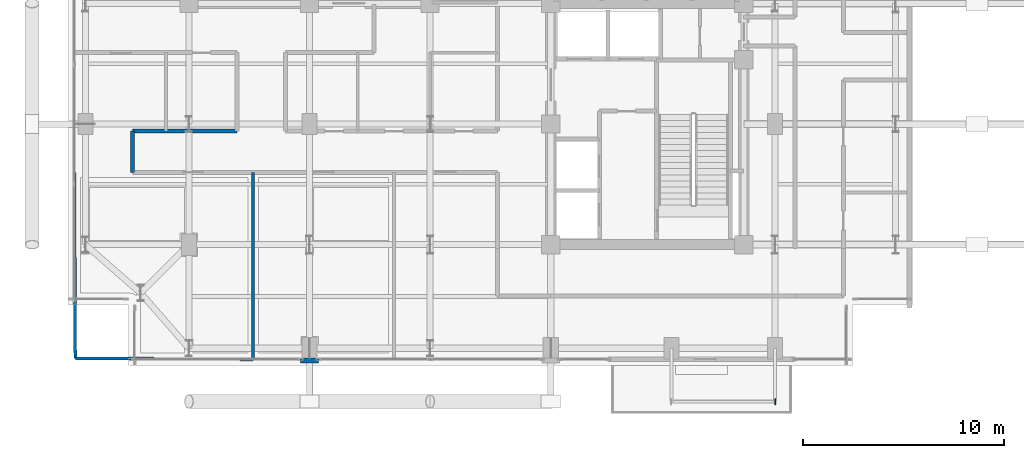
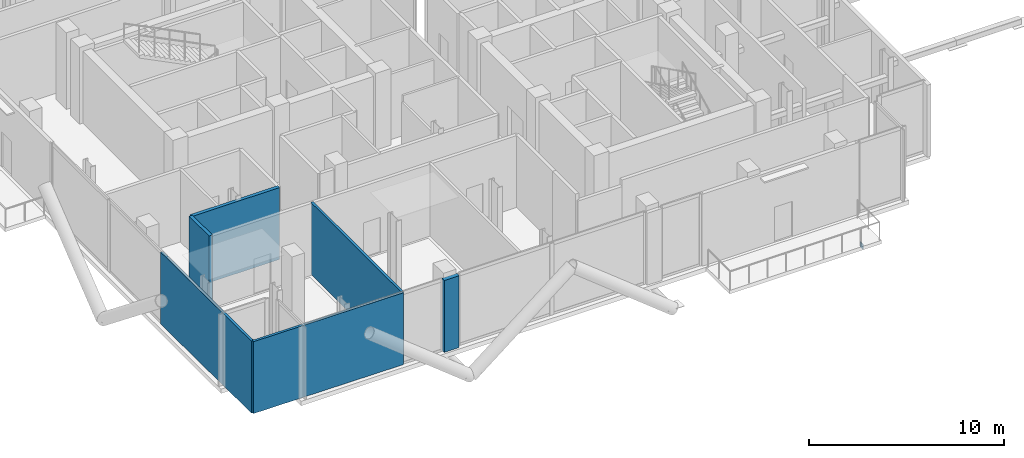
# One storey, part 16 of 22: 6 walls, 1 plate.
"""IFC4 building model written with IfcOpenShell, lengths in metres."""

from ifc_helpers import new_model, si_unit, direction, frame, frame_2d, origin, origin_2d, place, context, subcontext, project, spatial, rectangle, extrude, material, layer, layer_set, type_object, element, save


model = new_model("IFC4")

# Units and contexts
model_context = context("Model", 3, precision=1e-05, world=origin(), true_north=direction((0.0, 1.0)))
body_context = subcontext(model_context, "Body", "Model", "MODEL_VIEW")
ifc_project = project(units=[si_unit("LENGTHUNIT", "METRE"), si_unit("AREAUNIT", "SQUARE_METRE"), si_unit("VOLUMEUNIT", "CUBIC_METRE"), si_unit("PLANEANGLEUNIT", "RADIAN"), si_unit("MASSUNIT", "GRAM", prefix="KILO"), si_unit("THERMODYNAMICTEMPERATUREUNIT", "KELVIN"), si_unit("POWERUNIT", "WATT")], contexts=[model_context])

# Site, building, storey
site_placement = place(None, origin())
site = spatial("IfcSite", under=ifc_project, at=site_placement, CompositionType="ELEMENT")
building_placement = place(site_placement, origin())
building = spatial("IfcBuilding", under=site, at=building_placement, Name="Svarakhadi Broadcast Tower", CompositionType="ELEMENT")
storey_placement = place(building_placement, frame((0.0, 0.0, 199.199951171875)))
storey = spatial("IfcBuildingStorey", under=building, at=storey_placement, Name="L49", CompositionType="ELEMENT", Elevation=199.199951171875)

# Plate
ifc_material_1 = material(Name="Steel S460ML (IS 2062 E450BR)", Category="steel")
ifc_layer_1 = layer(ifc_material_1, 0.028076171875)
ifc_layer_set_1 = layer_set([ifc_layer_1], Name="Steel S460ML (IS 2062 E450BR)")
plate_type = type_object("IfcPlateType", Name="Cap_Plate_CP02", PredefinedType="USERDEFINED", material=ifc_layer_set_1)
plate_placement = place(storey_placement, frame((35.1650390625, -1.800048828125, -0.554931640625), z_axis=(0.0, 0.0, 1.0), x_axis=(1.0, 0.0, 0.0)))
element("IfcPlate", 1, at=plate_placement, inside=storey, type_object=plate_type, Name="L49 Balcony Spandrel End Cap Plate 1F-B", ObjectType="FLANGE_PLATE", PredefinedType="USERDEFINED", context=body_context, shape_type="SweptSolid", body=[
    extrude(rectangle(XDim=0.0400390625, YDim=0.300048828125, at=origin_2d()), origin(), (0.0, 0.0, 1.0), 0.31005859375),
])

# Walls
ifc_material_2 = material(Name="Concrete C40/50 (IS 456 M50)", Category="concrete")
ifc_layer_2 = layer(ifc_material_2, 0.239990234375)
ifc_layer_set_2 = layer_set([ifc_layer_2], Name="Concrete C40/50 (IS 456 M50)")
wall_type_1 = type_object("IfcWallType", Name="Wall_Ext_240", PredefinedType="SOLIDWALL", material=ifc_layer_set_2)
wall_1_placement = place(storey_placement, frame((12.43994140625, 0.239990234375, 0.0), z_axis=(0.0, 0.0, 1.0), x_axis=(-1.0, 0.0, 0.0)))
element("IfcWall", 2, at=wall_1_placement, inside=storey, type_object=wall_type_1, Name="L49 Perimeter Bronze Spandrel Closure Wall 04", PredefinedType="SOLIDWALL", context=body_context, shape_type="SweptSolid", body=[
    extrude(rectangle(XDim=0.8798828125, YDim=0.239990234375, at=frame_2d((0.43994140625, 0.0))), origin(), (0.0, 0.0, 1.0), 4.5),
])
ifc_layer_3 = layer(ifc_material_2, 0.199951171875)
ifc_layer_set_3 = layer_set([ifc_layer_3], Name="Concrete C40/50 (IS 456 M50)")
wall_type_2 = type_object("IfcWallType", Name="Wall_Fire_200", PredefinedType="SOLIDWALL", material=ifc_layer_set_3)
wall_2_placement = place(storey_placement, frame((3.199951171875, 9.60009765625, 0.0), z_axis=(0.0, 0.0, 1.0), x_axis=(0.0, 1.0, 0.0)))
element("IfcWall", 3, at=wall_2_placement, inside=storey, type_object=wall_type_2, Name="L49 Zone 2/3 Corridor Wall", PredefinedType="SOLIDWALL", context=body_context, shape_type="SweptSolid", body=[
    extrude(rectangle(XDim=2.0498046875, YDim=0.199951171875, at=frame_2d((1.02490234375, 0.0))), origin(), (0.0, 0.0, 1.0), 4.5),
])
wall_3_placement = place(storey_placement, frame((3.199951171875, 11.64990234375, 0.0), z_axis=(0.0, 0.0, 1.0), x_axis=(1.0, 0.0, 0.0)))
element("IfcWall", 4, at=wall_3_placement, inside=storey, type_object=wall_type_2, Name="L49 Zone 2/3 Corridor Wall", PredefinedType="SOLIDWALL", context=body_context, shape_type="SweptSolid", body=[
    extrude(rectangle(XDim=5.199951171875, YDim=0.199951171875, at=frame_2d((2.60009765625, 0.0))), origin(), (0.0, 0.0, 1.0), 4.5),
])
ifc_material_3 = material(Name="Autoclaved Aerated Concrete Blockwork 150 mm", Category="masonry")
ifc_layer_4 = layer(ifc_material_3, 0.14990234375)
ifc_layer_set_4 = layer_set([ifc_layer_4], Name="Autoclaved Aerated Concrete Blockwork 150 mm")
wall_type_3 = type_object("IfcWallType", Name="Wall_Part_150", PredefinedType="PARTITIONING", material=ifc_layer_set_4)
wall_4_placement = place(storey_placement, frame((0.35009765625, 0.35009765625, 0.0), z_axis=(0.0, 0.0, 1.0), x_axis=(0.999984009014, -0.005655237989, 0.0)))
element("IfcWall", 5, at=wall_4_placement, inside=storey, type_object=wall_type_3, Name="L49 L49 Upper Sky-Lobby Harbour Observation Lounge Wall", PredefinedType="PARTITIONING", context=body_context, shape_type="SweptSolid", body=[
    extrude(rectangle(XDim=8.85009765625, YDim=0.14990234375, at=frame_2d((4.425048828125, 0.0))), origin(), (0.0, 0.0, 1.0), 4.5),
])
wall_5_placement = place(storey_placement, frame((0.35009765625, 0.35009765625, 0.0), z_axis=(0.0, 0.0, 1.0), x_axis=(-0.005410604923, 0.99998536257, 0.0)))
element("IfcWall", 6, at=wall_5_placement, inside=storey, type_object=wall_type_3, Name="L49 L49 Upper Sky-Lobby Harbour Observation Lounge Wall", PredefinedType="PARTITIONING", context=body_context, shape_type="SweptSolid", body=[
    extrude(rectangle(XDim=9.250244140625, YDim=0.14990234375, at=frame_2d((4.625, 0.0))), origin(), (0.0, 0.0, 1.0), 4.5),
])
wall_6_placement = place(storey_placement, frame((9.199951171875, 0.300048828125, 0.0), z_axis=(0.0, 0.0, 1.0), x_axis=(0.0, 1.0, 0.0)))
element("IfcWall", 7, at=wall_6_placement, inside=storey, type_object=wall_type_3, Name="L49 L49 Upper Sky-Lobby Harbour Observation Lounge Wall", PredefinedType="PARTITIONING", context=body_context, shape_type="SweptSolid", body=[
    extrude(rectangle(XDim=9.300048828125, YDim=0.14990234375, at=frame_2d((4.64990234375, 0.0))), origin(), (0.0, 0.0, 1.0), 4.5),
])

save(model, "model.ifc")
